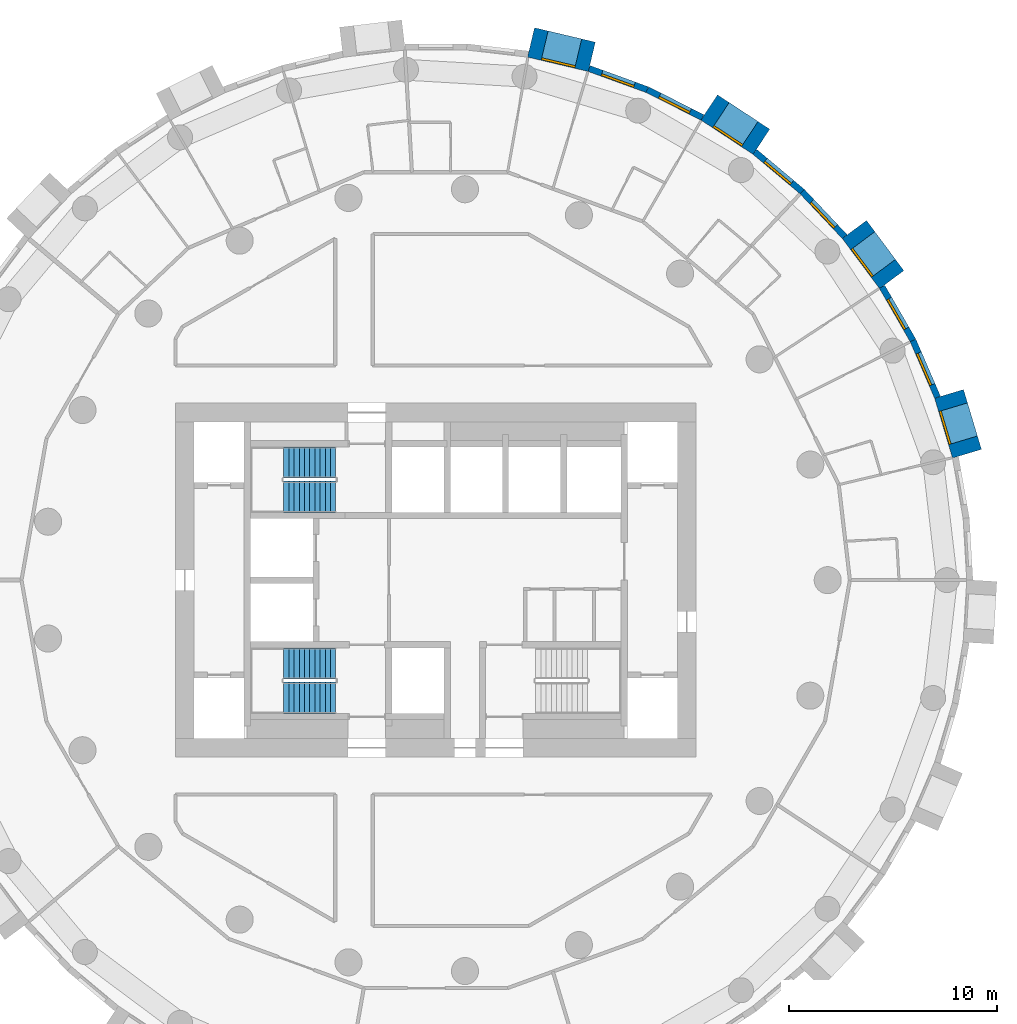
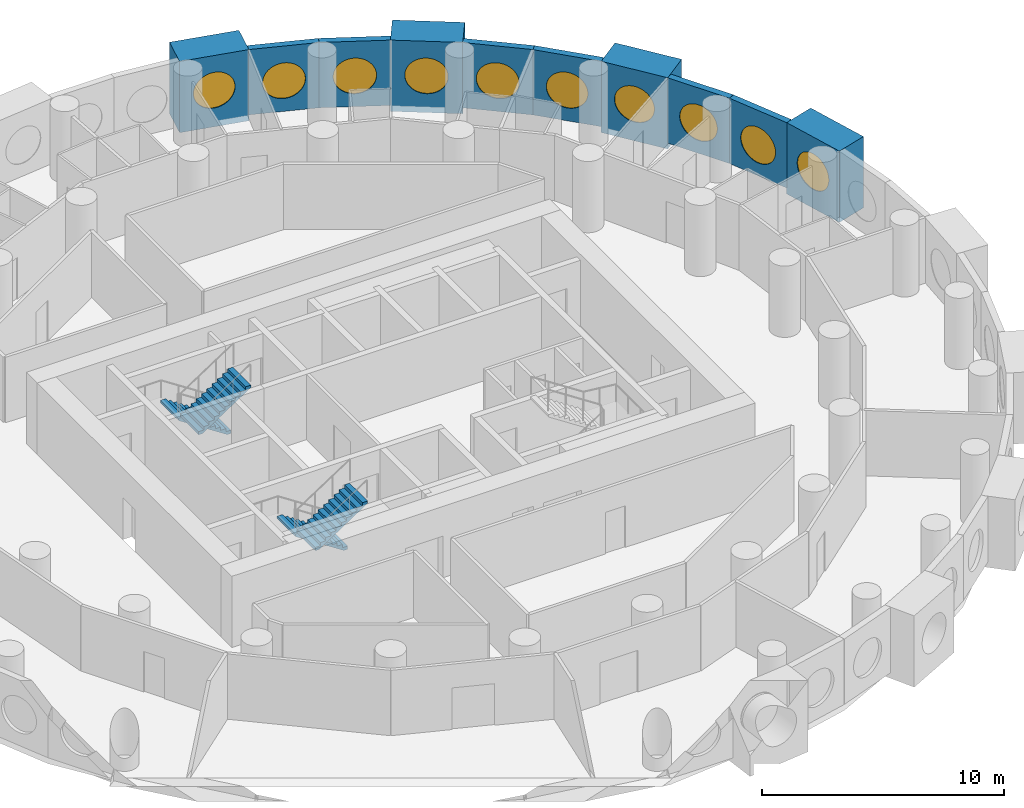
# One storey, part 8 of 10: 10 walls, 10 windows, 4 stair flights, 10 openings, 2 elements without a shape of their own.
"""IFC4 building model written with IfcOpenShell, lengths in metres."""

from ifc_helpers import new_model, si_unit, direction, frame, frame_2d, origin, origin_2d, place, context, subcontext, project, spatial, polyline, rectangle, circle, outline, extrude, material, layer, layer_set, type_object, element, fill, aggregate, save


model = new_model("IFC4")

# Units and contexts
model_context = context("Model", 3, precision=1e-05, world=origin(), true_north=direction((0.0, 1.0)))
body_context = subcontext(model_context, "Body", "Model", "MODEL_VIEW")
ifc_project = project(units=[si_unit("LENGTHUNIT", "METRE"), si_unit("AREAUNIT", "SQUARE_METRE"), si_unit("VOLUMEUNIT", "CUBIC_METRE"), si_unit("PLANEANGLEUNIT", "RADIAN"), si_unit("MASSUNIT", "GRAM", prefix="KILO")], contexts=[model_context])

# Site, building, storey
site_placement = place(None, origin())
site = spatial("IfcSite", under=ifc_project, at=site_placement, CompositionType="ELEMENT")
building_placement = place(site_placement, origin())
building = spatial("IfcBuilding", under=site, at=building_placement, Name="Tracery Tower", CompositionType="ELEMENT")
storey_placement = place(building_placement, frame((0.0, 0.0, 129.60009765625)))
storey = spatial("IfcBuildingStorey", under=building, at=storey_placement, Name="L32", CompositionType="ELEMENT", Elevation=129.60009765625)

# Wall, opening, window
ifc_material_1 = material(Name="Precast concrete C50/60", Category="concrete")
ifc_layer_1 = layer(ifc_material_1, 1.449951171875)
ifc_layer_set_1 = layer_set([ifc_layer_1], Name="Deep-set bay unit 3000 x 3600, slab edge 300")
wall_type_1 = type_object("IfcWallType", Name="Deep-set bay unit 3000 x 3600, slab edge 300", PredefinedType="ELEMENTEDWALL", material=ifc_layer_set_1)
wall_1_placement = place(storey_placement, frame((25.509521484375, 6.0712890625, -0.300048828125), z_axis=(0.0, 0.0, 1.0), x_axis=(-0.286780420304, 0.957996341606, 0.0)))
wall_1 = element("IfcWall", 1, at=wall_1_placement, inside=storey, type_object=wall_type_1, Name="Deep-set bay unit 3 at L32", PredefinedType="ELEMENTEDWALL", context=body_context, shape_type="SweptSolid", body=[
    extrude(rectangle(XDim=3.0, YDim=1.449951171875, at=frame_2d((1.5, 0.0))), origin(), (0.0, 0.0, 1.0), 3.599853515625),
])
opening_1_placement = place(wall_1_placement, frame((1.5, 0.0, 1.85009765625)))
opening_1 = element("IfcOpeningElement", 2, at=opening_1_placement, cuts=wall_1, Name="Opening WN1", PredefinedType="OPENING", context=body_context, shape_type="SweptSolid", body=[
    extrude(circle(Radius=0.9000244140625, at=origin_2d()), frame((0.0, 0.73486328125, 0.0), z_axis=(0.0, -1.0, 0.0), x_axis=(1.0, 0.0, 0.0)), (0.0, 0.0, 1.0), 1.469970703125),
])
ifc_material_2 = material(Name="Aluminium frame with tinted double glazing", Category="aluminium")
window_type = type_object("IfcWindowType", Name="Round window 1800", PartitioningType="SINGLE_PANEL", PredefinedType="WINDOW", material=ifc_material_2)
window_1_placement = place(opening_1_placement, origin())
window_1 = element("IfcWindow", 3, at=window_1_placement, inside=storey, type_object=window_type, Name="Round window 3 at L32", OverallHeight=1.800048828125, OverallWidth=1.800048828125, PartitioningType="SINGLE_PANEL", PredefinedType="WINDOW", context=body_context, shape_type="SweptSolid", body=[
    extrude(circle(Radius=0.9000244140625, at=origin_2d()), frame((0.0, 0.69482421875, 0.0), z_axis=(0.0, -1.0, 0.0), x_axis=(1.0, 0.0, 0.0)), (0.0, 0.0, 1.0), 0.10009765625),
])
fill(opening_1, window_1)

wall_2_placement = place(storey_placement, frame((21.89453125, 14.429931640625, -0.300048828125), z_axis=(0.0, 0.0, 1.0), x_axis=(-0.597183717734, 0.802104486506, 0.0)))
wall_2 = element("IfcWall", 4, at=wall_2_placement, inside=storey, type_object=wall_type_1, Name="Deep-set bay unit 6 at L32", PredefinedType="ELEMENTEDWALL", context=body_context, shape_type="SweptSolid", body=[
    extrude(rectangle(XDim=3.0, YDim=1.449951171875, at=frame_2d((1.5, 0.0))), origin(), (0.0, 0.0, 1.0), 3.599853515625),
])
opening_2_placement = place(wall_2_placement, frame((1.5, 0.0, 1.85009765625)))
opening_2 = element("IfcOpeningElement", 5, at=opening_2_placement, cuts=wall_2, Name="Opening WN1", PredefinedType="OPENING", context=body_context, shape_type="SweptSolid", body=[
    extrude(circle(Radius=0.9000244140625, at=origin_2d()), frame((0.0, 0.73486328125, 0.0), z_axis=(0.0, -1.0, 0.0), x_axis=(1.0, 0.0, 0.0)), (0.0, 0.0, 1.0), 1.469970703125),
])
window_2_placement = place(opening_2_placement, origin())
window_2 = element("IfcWindow", 6, at=window_2_placement, inside=storey, type_object=window_type, Name="Round window 6 at L32", OverallHeight=1.800048828125, OverallWidth=1.800048828125, PartitioningType="SINGLE_PANEL", PredefinedType="WINDOW", context=body_context, shape_type="SweptSolid", body=[
    extrude(circle(Radius=0.9000244140625, at=origin_2d()), frame((0.0, 0.69482421875, 0.0), z_axis=(0.0, -1.0, 0.0), x_axis=(1.0, 0.0, 0.0)), (0.0, 0.0, 1.0), 0.10009765625),
])
fill(opening_2, window_2)

wall_3_placement = place(storey_placement, frame((15.638916015625, 21.048095703125, -0.300048828125), z_axis=(0.0, 0.0, 1.0), x_axis=(-0.835514416706, 0.549468524554, 0.0)))
wall_3 = element("IfcWall", 7, at=wall_3_placement, inside=storey, type_object=wall_type_1, Name="Deep-set bay unit 9 at L32", PredefinedType="ELEMENTEDWALL", context=body_context, shape_type="SweptSolid", body=[
    extrude(rectangle(XDim=3.0, YDim=1.449951171875, at=frame_2d((1.5, 0.0))), origin(), (0.0, 0.0, 1.0), 3.599853515625),
])
opening_3_placement = place(wall_3_placement, frame((1.5, 0.0, 1.85009765625)))
opening_3 = element("IfcOpeningElement", 8, at=opening_3_placement, cuts=wall_3, Name="Opening WN1", PredefinedType="OPENING", context=body_context, shape_type="SweptSolid", body=[
    extrude(circle(Radius=0.9000244140625, at=origin_2d()), frame((0.0, 0.73486328125, 0.0), z_axis=(0.0, -1.0, 0.0), x_axis=(1.0, 0.0, 0.0)), (0.0, 0.0, 1.0), 1.469970703125),
])
window_3_placement = place(opening_3_placement, origin())
window_3 = element("IfcWindow", 9, at=window_3_placement, inside=storey, type_object=window_type, Name="Round window 9 at L32", OverallHeight=1.800048828125, OverallWidth=1.800048828125, PartitioningType="SINGLE_PANEL", PredefinedType="WINDOW", context=body_context, shape_type="SweptSolid", body=[
    extrude(circle(Radius=0.9000244140625, at=origin_2d()), frame((0.0, 0.69482421875, 0.0), z_axis=(0.0, -1.0, 0.0), x_axis=(1.0, 0.0, 0.0)), (0.0, 0.0, 1.0), 0.10009765625),
])
fill(opening_3, window_3)

wall_4_placement = place(storey_placement, frame((7.496826171875, 25.12744140625, -0.300048828125), z_axis=(0.0, 0.0, 1.0), x_axis=(-0.973042333261, 0.23062657627, 0.0)))
wall_4 = element("IfcWall", 10, at=wall_4_placement, inside=storey, type_object=wall_type_1, Name="Deep-set bay unit 12 at L32", PredefinedType="ELEMENTEDWALL", context=body_context, shape_type="SweptSolid", body=[
    extrude(rectangle(XDim=3.0, YDim=1.449951171875, at=frame_2d((1.5, 0.0))), origin(), (0.0, 0.0, 1.0), 3.599853515625),
])
opening_4_placement = place(wall_4_placement, frame((1.5, 0.0, 1.85009765625)))
opening_4 = element("IfcOpeningElement", 11, at=opening_4_placement, cuts=wall_4, Name="Opening WN1", PredefinedType="OPENING", context=body_context, shape_type="SweptSolid", body=[
    extrude(circle(Radius=0.9000244140625, at=origin_2d()), frame((0.0, 0.73486328125, 0.0), z_axis=(0.0, -1.0, 0.0), x_axis=(1.0, 0.0, 0.0)), (0.0, 0.0, 1.0), 1.469970703125),
])
window_4_placement = place(opening_4_placement, origin())
window_4 = element("IfcWindow", 12, at=window_4_placement, inside=storey, type_object=window_type, Name="Round window 12 at L32", OverallHeight=1.800048828125, OverallWidth=1.800048828125, PartitioningType="SINGLE_PANEL", PredefinedType="WINDOW", context=body_context, shape_type="SweptSolid", body=[
    extrude(circle(Radius=0.9000244140625, at=origin_2d()), frame((0.0, 0.69482421875, 0.0), z_axis=(0.0, -1.0, 0.0), x_axis=(1.0, 0.0, 0.0)), (0.0, 0.0, 1.0), 0.10009765625),
])
fill(opening_4, window_4)

ifc_material_3 = material(Name="Precast concrete C50/60", Category="concrete")
ifc_layer_2 = layer(ifc_material_3, 0.300048828125)
ifc_layer_set_2 = layer_set([ifc_layer_2], Name="Facade panel 3000 x 3300")
wall_type_2 = type_object("IfcWallType", Name="Facade panel 3000 x 3300", PredefinedType="SOLIDWALL", material=ifc_layer_set_2)
wall_5_placement = place(storey_placement, frame((24.096923828125, 8.78076171875, 0.0), z_axis=(0.0, 0.0, 1.0), x_axis=(-0.396078892785, 0.918216483565, 0.0)))
wall_5 = element("IfcWall", 13, at=wall_5_placement, inside=storey, type_object=wall_type_2, Name="Facade panel 4 at L32", PredefinedType="SOLIDWALL", context=body_context, shape_type="SweptSolid", body=[
    extrude(rectangle(XDim=2.972900390625, YDim=0.300048828125, at=frame_2d((1.486328125, 0.0))), origin(), (0.0, 0.0, 1.0), 3.2998046875),
])
opening_5_placement = place(wall_5_placement, frame((1.486328125, 0.0, 1.5498046875)))
opening_5 = element("IfcOpeningElement", 14, at=opening_5_placement, cuts=wall_5, Name="Opening WN1", PredefinedType="OPENING", context=body_context, shape_type="SweptSolid", body=[
    extrude(circle(Radius=0.9000244140625, at=origin_2d()), frame((0.0, 0.159912109375, 0.0), z_axis=(0.0, -1.0, 0.0), x_axis=(1.0, 0.0, 0.0)), (0.0, 0.0, 1.0), 0.320068359375),
])
window_5_placement = place(opening_5_placement, origin())
window_5 = element("IfcWindow", 15, at=window_5_placement, inside=storey, type_object=window_type, Name="Round window 4 at L32", OverallHeight=1.800048828125, OverallWidth=1.800048828125, PartitioningType="SINGLE_PANEL", PredefinedType="WINDOW", context=body_context, shape_type="SweptSolid", body=[
    extrude(circle(Radius=0.9000244140625, at=origin_2d()), frame((0.0, 0.1201171875, 0.0), z_axis=(0.0, -1.0, 0.0), x_axis=(1.0, 0.0, 0.0)), (0.0, 0.0, 1.0), 0.10009765625),
])
fill(opening_5, window_5)

wall_6_placement = place(storey_placement, frame((22.91943359375, 11.510498046875, 0.0), z_axis=(0.0, 0.0, 1.0), x_axis=(-0.500016263033, 0.866016014115, 0.0)))
wall_6 = element("IfcWall", 16, at=wall_6_placement, inside=storey, type_object=wall_type_2, Name="Facade panel 5 at L32", PredefinedType="SOLIDWALL", context=body_context, shape_type="SweptSolid", body=[
    extrude(rectangle(XDim=2.97314453125, YDim=0.300048828125, at=frame_2d((1.486572265625, 0.0))), origin(), (0.0, 0.0, 1.0), 3.2998046875),
])
opening_6_placement = place(wall_6_placement, frame((1.486328125, 0.0, 1.5498046875)))
opening_6 = element("IfcOpeningElement", 17, at=opening_6_placement, cuts=wall_6, Name="Opening WN1", PredefinedType="OPENING", context=body_context, shape_type="SweptSolid", body=[
    extrude(circle(Radius=0.9000244140625, at=origin_2d()), frame((0.0, 0.159912109375, 0.0), z_axis=(0.0, -1.0, 0.0), x_axis=(1.0, 0.0, 0.0)), (0.0, 0.0, 1.0), 0.320068359375),
])
window_6_placement = place(opening_6_placement, origin())
window_6 = element("IfcWindow", 18, at=window_6_placement, inside=storey, type_object=window_type, Name="Round window 5 at L32", OverallHeight=1.800048828125, OverallWidth=1.800048828125, PartitioningType="SINGLE_PANEL", PredefinedType="WINDOW", context=body_context, shape_type="SweptSolid", body=[
    extrude(circle(Radius=0.9000244140625, at=origin_2d()), frame((0.0, 0.1201171875, 0.0), z_axis=(0.0, -1.0, 0.0), x_axis=(1.0, 0.0, 0.0)), (0.0, 0.0, 1.0), 0.10009765625),
])
fill(opening_6, window_6)

wall_7_placement = place(storey_placement, frame((19.640380859375, 16.492919921875, 0.0), z_axis=(0.0, 0.0, 1.0), x_axis=(-0.686235184166, 0.727379730273, 0.0)))
wall_7 = element("IfcWall", 19, at=wall_7_placement, inside=storey, type_object=wall_type_2, Name="Facade panel 7 at L32", PredefinedType="SOLIDWALL", context=body_context, shape_type="SweptSolid", body=[
    extrude(rectangle(XDim=2.972900390625, YDim=0.300048828125, at=frame_2d((1.486328125, 0.0))), origin(), (0.0, 0.0, 1.0), 3.2998046875),
])
opening_7_placement = place(wall_7_placement, frame((1.486328125, 0.0, 1.5498046875)))
opening_7 = element("IfcOpeningElement", 20, at=opening_7_placement, cuts=wall_7, Name="Opening WN1", PredefinedType="OPENING", context=body_context, shape_type="SweptSolid", body=[
    extrude(circle(Radius=0.9000244140625, at=origin_2d()), frame((0.0, 0.159912109375, 0.0), z_axis=(0.0, -1.0, 0.0), x_axis=(1.0, 0.0, 0.0)), (0.0, 0.0, 1.0), 0.320068359375),
])
window_7_placement = place(opening_7_placement, origin())
window_7 = element("IfcWindow", 21, at=window_7_placement, inside=storey, type_object=window_type, Name="Round window 7 at L32", OverallHeight=1.800048828125, OverallWidth=1.800048828125, PartitioningType="SINGLE_PANEL", PredefinedType="WINDOW", context=body_context, shape_type="SweptSolid", body=[
    extrude(circle(Radius=0.9000244140625, at=origin_2d()), frame((0.0, 0.1201171875, 0.0), z_axis=(0.0, -1.0, 0.0), x_axis=(1.0, 0.0, 0.0)), (0.0, 0.0, 1.0), 0.10009765625),
])
fill(opening_7, window_7)

wall_8_placement = place(storey_placement, frame((17.600341796875, 18.6552734375, 0.0), z_axis=(0.0, 0.0, 1.0), x_axis=(-0.766049350637, 0.642781761089, 0.0)))
wall_8 = element("IfcWall", 22, at=wall_8_placement, inside=storey, type_object=wall_type_2, Name="Facade panel 8 at L32", PredefinedType="SOLIDWALL", context=body_context, shape_type="SweptSolid", body=[
    extrude(rectangle(XDim=2.972900390625, YDim=0.300048828125, at=frame_2d((1.486328125, 0.0))), origin(), (0.0, 0.0, 1.0), 3.2998046875),
])
opening_8_placement = place(wall_8_placement, frame((1.486328125, 0.0, 1.5498046875)))
opening_8 = element("IfcOpeningElement", 23, at=opening_8_placement, cuts=wall_8, Name="Opening WN1", PredefinedType="OPENING", context=body_context, shape_type="SweptSolid", body=[
    extrude(circle(Radius=0.9000244140625, at=origin_2d()), frame((0.0, 0.159912109375, 0.0), z_axis=(0.0, -1.0, 0.0), x_axis=(1.0, 0.0, 0.0)), (0.0, 0.0, 1.0), 0.320068359375),
])
window_8_placement = place(opening_8_placement, origin())
window_8 = element("IfcWindow", 24, at=window_8_placement, inside=storey, type_object=window_type, Name="Round window 8 at L32", OverallHeight=1.800048828125, OverallWidth=1.800048828125, PartitioningType="SINGLE_PANEL", PredefinedType="WINDOW", context=body_context, shape_type="SweptSolid", body=[
    extrude(circle(Radius=0.9000244140625, at=origin_2d()), frame((0.0, 0.1201171875, 0.0), z_axis=(0.0, -1.0, 0.0), x_axis=(1.0, 0.0, 0.0)), (0.0, 0.0, 1.0), 0.10009765625),
])
fill(opening_8, window_8)

wall_9_placement = place(storey_placement, frame((12.815185546875, 22.215576171875, 0.0), z_axis=(0.0, 0.0, 1.0), x_axis=(-0.893637442555, 0.448789618045, 0.0)))
wall_9 = element("IfcWall", 25, at=wall_9_placement, inside=storey, type_object=wall_type_2, Name="Facade panel 10 at L32", PredefinedType="SOLIDWALL", context=body_context, shape_type="SweptSolid", body=[
    extrude(rectangle(XDim=2.972900390625, YDim=0.300048828125, at=frame_2d((1.486328125, 0.0))), origin(), (0.0, 0.0, 1.0), 3.2998046875),
])
opening_9_placement = place(wall_9_placement, frame((1.486328125, 0.0, 1.5498046875)))
opening_9 = element("IfcOpeningElement", 26, at=opening_9_placement, cuts=wall_9, Name="Opening WN1", PredefinedType="OPENING", context=body_context, shape_type="SweptSolid", body=[
    extrude(circle(Radius=0.9000244140625, at=origin_2d()), frame((0.0, 0.159912109375, 0.0), z_axis=(0.0, -1.0, 0.0), x_axis=(1.0, 0.0, 0.0)), (0.0, 0.0, 1.0), 0.320068359375),
])
window_9_placement = place(opening_9_placement, origin())
window_9 = element("IfcWindow", 27, at=window_9_placement, inside=storey, type_object=window_type, Name="Round window 10 at L32", OverallHeight=1.800048828125, OverallWidth=1.800048828125, PartitioningType="SINGLE_PANEL", PredefinedType="WINDOW", context=body_context, shape_type="SweptSolid", body=[
    extrude(circle(Radius=0.9000244140625, at=origin_2d()), frame((0.0, 0.1201171875, 0.0), z_axis=(0.0, -1.0, 0.0), x_axis=(1.0, 0.0, 0.0)), (0.0, 0.0, 1.0), 0.10009765625),
])
fill(opening_9, window_9)

wall_10_placement = place(storey_placement, frame((10.158447265625, 23.5498046875, 0.0), z_axis=(0.0, 0.0, 1.0), x_axis=(-0.939690282133, 0.342026568652, 0.0)))
wall_10 = element("IfcWall", 28, at=wall_10_placement, inside=storey, type_object=wall_type_2, Name="Facade panel 11 at L32", PredefinedType="SOLIDWALL", context=body_context, shape_type="SweptSolid", body=[
    extrude(rectangle(XDim=2.972900390625, YDim=0.300048828125, at=frame_2d((1.486328125, 0.0))), origin(), (0.0, 0.0, 1.0), 3.2998046875),
])
opening_10_placement = place(wall_10_placement, frame((1.486328125, 0.0, 1.5498046875)))
opening_10 = element("IfcOpeningElement", 29, at=opening_10_placement, cuts=wall_10, Name="Opening WN1", PredefinedType="OPENING", context=body_context, shape_type="SweptSolid", body=[
    extrude(circle(Radius=0.9000244140625, at=origin_2d()), frame((0.0, 0.159912109375, 0.0), z_axis=(0.0, -1.0, 0.0), x_axis=(1.0, 0.0, 0.0)), (0.0, 0.0, 1.0), 0.320068359375),
])
window_10_placement = place(opening_10_placement, origin())
window_10 = element("IfcWindow", 30, at=window_10_placement, inside=storey, type_object=window_type, Name="Round window 11 at L32", OverallHeight=1.800048828125, OverallWidth=1.800048828125, PartitioningType="SINGLE_PANEL", PredefinedType="WINDOW", context=body_context, shape_type="SweptSolid", body=[
    extrude(circle(Radius=0.9000244140625, at=origin_2d()), frame((0.0, 0.1201171875, 0.0), z_axis=(0.0, -1.0, 0.0), x_axis=(1.0, 0.0, 0.0)), (0.0, 0.0, 1.0), 0.10009765625),
])
fill(opening_10, window_10)

# Stair, stair flights
ifc_material_4 = material(Name="Concrete C32/40", Category="concrete")
stair_type = type_object("IfcStairType", Name="Core stair 22 risers", PredefinedType="HALF_TURN_STAIR", material=ifc_material_4)
stair_1_placement = place(storey_placement, origin())
stair_1 = element("IfcStair", 31, at=stair_1_placement, inside=storey, type_object=stair_type, Name="L32 stair ST1", PredefinedType="HALF_TURN_STAIR")
ifc_material_5 = material(Name="Concrete C32/40", Category="concrete")
stair_flight_type = type_object("IfcStairFlightType", Name="Core stair flight 11 risers", PredefinedType="STRAIGHT", material=ifc_material_5)
stair_flight_1_placement = place(storey_placement, frame((-4.800048828125, -4.0, 0.0), z_axis=(0.0, 0.0, 1.0), x_axis=(-1.0, 0.0, 0.0)))
stair_flight_1 = element("IfcStairFlight", 32, at=stair_flight_1_placement, type_object=stair_flight_type, Name="ST1 flight 1", NumberOfRisers=11, NumberOfTreads=10, PredefinedType="STRAIGHT", RiserHeight=0.163636364, TreadLength=0.25, context=body_context, shape_type="SweptSolid", body=[
    extrude(outline(polyline([(0.0, 0.0), (0.0, 0.002685546875), (0.0, 0.00537109375), (0.0, 0.008056640625), (0.0, 0.0107421875), (0.0, 0.013427734375), (0.0, 0.01611328125), (0.0, 0.018798828125), (0.0, 0.021484375), (0.0, 0.024169921875), (0.0, 0.02685546875), (0.0, 0.029541015625), (0.0, 0.0322265625), (0.0, 0.034912109375), (0.0, 0.03759765625), (0.0, 0.040283203125), (0.0, 0.04296875), (0.0, 0.045654296875), (0.0, 0.04833984375), (0.0, 0.051025390625), (0.0, 0.0537109375), (0.0, 0.056396484375), (0.0, 0.05908203125), (0.0, 0.061767578125), (0.0, 0.064453125), (0.0, 0.067138671875), (0.0, 0.06982421875), (0.0, 0.072509765625), (0.0, 0.0751953125), (0.0, 0.077880859375), (0.0, 0.08056640625), (0.0, 0.083251953125), (0.0, 0.0859375), (0.0, 0.088623046875), (0.0, 0.09130859375), (0.0, 0.093994140625), (0.0, 0.0966796875), (0.0, 0.099365234375), (0.0, 0.10205078125), (0.0, 0.104736328125), (0.0, 0.107421875), (0.0, 0.10986328125), (0.0, 0.112548828125), (0.0, 0.115234375), (0.0, 0.117919921875), (0.0, 0.12060546875), (0.0, 0.123291015625), (0.0, 0.1259765625), (0.0, 0.128662109375), (0.0, 0.13134765625), (0.0, 0.134033203125), (0.0, 0.13671875), (0.0, 0.139404296875), (0.0, 0.14208984375), (0.0, 0.144775390625), (0.0, 0.1474609375), (0.0, 0.150146484375), (0.0, 0.15283203125), (0.0, 0.155517578125), (0.0, 0.158203125), (0.0, 0.160888671875), (0.0, 0.16357421875), (0.25, 0.16357421875), (0.25, 0.327392578125), (0.5, 0.327392578125), (0.5, 0.490966796875), (0.75, 0.490966796875), (0.75, 0.654541015625), (1.0, 0.654541015625), (1.0, 0.818115234375), (1.25, 0.818115234375), (1.25, 0.98193359375), (1.5, 0.98193359375), (1.5, 1.1455078125), (1.75, 1.1455078125), (1.75, 1.30908203125), (2.0, 1.30908203125), (2.0, 1.47265625), (2.25, 1.47265625), (2.25, 1.636474609375), (2.5, 1.636474609375), (2.5, 1.634521484375), (2.5, 1.63232421875), (2.5, 1.63037109375), (2.5, 1.62841796875), (2.5, 1.62646484375), (2.5, 1.62451171875), (2.5, 1.62255859375), (2.5, 1.62060546875), (2.5, 1.61865234375), (2.5, 1.61669921875), (2.5, 1.61474609375), (2.5, 1.61279296875), (2.5, 1.61083984375), (2.5, 1.60888671875), (2.5, 1.60693359375), (2.5, 1.60498046875), (2.5, 1.60302734375), (2.5, 1.60107421875), (2.5, 1.59912109375), (2.5, 1.59716796875), (2.5, 1.59521484375), (2.5, 1.59326171875), (2.5, 1.59130859375), (2.5, 1.58935546875), (2.5, 1.58740234375), (2.5, 1.58544921875), (2.5, 1.58349609375), (2.5, 1.58154296875), (2.5, 1.57958984375), (2.5, 1.57763671875), (2.5, 1.57568359375), (2.5, 1.573486328125), (2.5, 1.571533203125), (2.5, 1.569580078125), (2.5, 1.567626953125), (2.5, 1.565673828125), (2.5, 1.563720703125), (2.5, 1.561767578125), (2.5, 1.559814453125), (2.5, 1.557861328125), (2.5, 1.555908203125), (2.5, 1.553955078125), (2.5, 1.552001953125), (2.5, 1.550048828125), (2.5, 1.548095703125), (2.5, 1.546142578125), (2.5, 1.544189453125), (2.5, 1.542236328125), (2.5, 1.540283203125), (2.5, 1.538330078125), (2.5, 1.536376953125), (2.5, 1.534423828125), (2.5, 1.532470703125), (2.5, 1.530517578125), (2.5, 1.528564453125), (2.5, 1.526611328125), (2.5, 1.524658203125), (2.5, 1.522705078125), (2.5, 1.520751953125), (2.5, 1.518798828125), (2.5, 1.516845703125), (0.182861328125, 0.0), (0.0, 0.0)])), frame((0.0, 0.75, 0.0), z_axis=(0.0, -1.0, 0.0), x_axis=(1.0, 0.0, 0.0)), (0.0, 0.0, 1.0), 1.5),
])
stair_flight_2_placement = place(storey_placement, frame((-7.300048828125, -5.64990234375, 1.7998046875), z_axis=(0.0, 0.0, 1.0), x_axis=(1.0, 0.0, 0.0)))
stair_flight_2 = element("IfcStairFlight", 33, at=stair_flight_2_placement, type_object=stair_flight_type, Name="ST1 flight 2", NumberOfRisers=11, NumberOfTreads=10, PredefinedType="STRAIGHT", RiserHeight=0.163636364, TreadLength=0.25, context=body_context, shape_type="SweptSolid", body=[
    extrude(outline(polyline([(0.0, 0.0), (0.0, 0.002685546875), (0.0, 0.00537109375), (0.0, 0.008056640625), (0.0, 0.0107421875), (0.0, 0.013427734375), (0.0, 0.01611328125), (0.0, 0.018798828125), (0.0, 0.021484375), (0.0, 0.024169921875), (0.0, 0.02685546875), (0.0, 0.029541015625), (0.0, 0.0322265625), (0.0, 0.034912109375), (0.0, 0.03759765625), (0.0, 0.040283203125), (0.0, 0.04296875), (0.0, 0.045654296875), (0.0, 0.04833984375), (0.0, 0.051025390625), (0.0, 0.0537109375), (0.0, 0.056396484375), (0.0, 0.05908203125), (0.0, 0.061767578125), (0.0, 0.064453125), (0.0, 0.067138671875), (0.0, 0.06982421875), (0.0, 0.072509765625), (0.0, 0.0751953125), (0.0, 0.077880859375), (0.0, 0.08056640625), (0.0, 0.083251953125), (0.0, 0.0859375), (0.0, 0.088623046875), (0.0, 0.09130859375), (0.0, 0.093994140625), (0.0, 0.0966796875), (0.0, 0.099365234375), (0.0, 0.10205078125), (0.0, 0.104736328125), (0.0, 0.107421875), (0.0, 0.10986328125), (0.0, 0.112548828125), (0.0, 0.115234375), (0.0, 0.117919921875), (0.0, 0.12060546875), (0.0, 0.123291015625), (0.0, 0.1259765625), (0.0, 0.128662109375), (0.0, 0.13134765625), (0.0, 0.134033203125), (0.0, 0.13671875), (0.0, 0.139404296875), (0.0, 0.14208984375), (0.0, 0.144775390625), (0.0, 0.1474609375), (0.0, 0.150146484375), (0.0, 0.15283203125), (0.0, 0.155517578125), (0.0, 0.158203125), (0.0, 0.160888671875), (0.0, 0.16357421875), (0.25, 0.16357421875), (0.25, 0.327392578125), (0.5, 0.327392578125), (0.5, 0.490966796875), (0.75, 0.490966796875), (0.75, 0.654541015625), (1.0, 0.654541015625), (1.0, 0.818115234375), (1.25, 0.818115234375), (1.25, 0.98193359375), (1.5, 0.98193359375), (1.5, 1.1455078125), (1.75, 1.1455078125), (1.75, 1.30908203125), (2.0, 1.30908203125), (2.0, 1.47265625), (2.25, 1.47265625), (2.25, 1.636474609375), (2.5, 1.636474609375), (2.5, 1.634521484375), (2.5, 1.63232421875), (2.5, 1.63037109375), (2.5, 1.62841796875), (2.5, 1.62646484375), (2.5, 1.62451171875), (2.5, 1.62255859375), (2.5, 1.62060546875), (2.5, 1.61865234375), (2.5, 1.61669921875), (2.5, 1.61474609375), (2.5, 1.61279296875), (2.5, 1.61083984375), (2.5, 1.60888671875), (2.5, 1.60693359375), (2.5, 1.60498046875), (2.5, 1.60302734375), (2.5, 1.60107421875), (2.5, 1.59912109375), (2.5, 1.59716796875), (2.5, 1.59521484375), (2.5, 1.59326171875), (2.5, 1.59130859375), (2.5, 1.58935546875), (2.5, 1.58740234375), (2.5, 1.58544921875), (2.5, 1.58349609375), (2.5, 1.58154296875), (2.5, 1.57958984375), (2.5, 1.57763671875), (2.5, 1.57568359375), (2.5, 1.573486328125), (2.5, 1.571533203125), (2.5, 1.569580078125), (2.5, 1.567626953125), (2.5, 1.565673828125), (2.5, 1.563720703125), (2.5, 1.561767578125), (2.5, 1.559814453125), (2.5, 1.557861328125), (2.5, 1.555908203125), (2.5, 1.553955078125), (2.5, 1.552001953125), (2.5, 1.550048828125), (2.5, 1.548095703125), (2.5, 1.546142578125), (2.5, 1.544189453125), (2.5, 1.542236328125), (2.5, 1.540283203125), (2.5, 1.538330078125), (2.5, 1.536376953125), (2.5, 1.534423828125), (2.5, 1.532470703125), (2.5, 1.530517578125), (2.5, 1.528564453125), (2.5, 1.526611328125), (2.5, 1.524658203125), (2.5, 1.522705078125), (2.5, 1.520751953125), (2.5, 1.518798828125), (2.5, 1.516845703125), (0.182861328125, 0.0), (0.0, 0.0)])), frame((0.0, 0.75, 0.0), z_axis=(0.0, -1.0, 0.0), x_axis=(1.0, 0.0, 0.0)), (0.0, 0.0, 1.0), 1.5),
])
aggregate(stair_1, [stair_flight_1, stair_flight_2])

stair_2_placement = place(storey_placement, origin())
stair_2 = element("IfcStair", 34, at=stair_2_placement, inside=storey, type_object=stair_type, Name="L32 stair ST3", PredefinedType="HALF_TURN_STAIR")
stair_flight_3_placement = place(storey_placement, frame((-4.800048828125, 5.64990234375, 0.0), z_axis=(0.0, 0.0, 1.0), x_axis=(-1.0, 0.0, 0.0)))
stair_flight_3 = element("IfcStairFlight", 35, at=stair_flight_3_placement, type_object=stair_flight_type, Name="ST3 flight 1", NumberOfRisers=11, NumberOfTreads=10, PredefinedType="STRAIGHT", RiserHeight=0.163636364, TreadLength=0.25, context=body_context, shape_type="SweptSolid", body=[
    extrude(outline(polyline([(0.0, 0.0), (0.0, 0.002685546875), (0.0, 0.00537109375), (0.0, 0.008056640625), (0.0, 0.0107421875), (0.0, 0.013427734375), (0.0, 0.01611328125), (0.0, 0.018798828125), (0.0, 0.021484375), (0.0, 0.024169921875), (0.0, 0.02685546875), (0.0, 0.029541015625), (0.0, 0.0322265625), (0.0, 0.034912109375), (0.0, 0.03759765625), (0.0, 0.040283203125), (0.0, 0.04296875), (0.0, 0.045654296875), (0.0, 0.04833984375), (0.0, 0.051025390625), (0.0, 0.0537109375), (0.0, 0.056396484375), (0.0, 0.05908203125), (0.0, 0.061767578125), (0.0, 0.064453125), (0.0, 0.067138671875), (0.0, 0.06982421875), (0.0, 0.072509765625), (0.0, 0.0751953125), (0.0, 0.077880859375), (0.0, 0.08056640625), (0.0, 0.083251953125), (0.0, 0.0859375), (0.0, 0.088623046875), (0.0, 0.09130859375), (0.0, 0.093994140625), (0.0, 0.0966796875), (0.0, 0.099365234375), (0.0, 0.10205078125), (0.0, 0.104736328125), (0.0, 0.107421875), (0.0, 0.10986328125), (0.0, 0.112548828125), (0.0, 0.115234375), (0.0, 0.117919921875), (0.0, 0.12060546875), (0.0, 0.123291015625), (0.0, 0.1259765625), (0.0, 0.128662109375), (0.0, 0.13134765625), (0.0, 0.134033203125), (0.0, 0.13671875), (0.0, 0.139404296875), (0.0, 0.14208984375), (0.0, 0.144775390625), (0.0, 0.1474609375), (0.0, 0.150146484375), (0.0, 0.15283203125), (0.0, 0.155517578125), (0.0, 0.158203125), (0.0, 0.160888671875), (0.0, 0.16357421875), (0.25, 0.16357421875), (0.25, 0.327392578125), (0.5, 0.327392578125), (0.5, 0.490966796875), (0.75, 0.490966796875), (0.75, 0.654541015625), (1.0, 0.654541015625), (1.0, 0.818115234375), (1.25, 0.818115234375), (1.25, 0.98193359375), (1.5, 0.98193359375), (1.5, 1.1455078125), (1.75, 1.1455078125), (1.75, 1.30908203125), (2.0, 1.30908203125), (2.0, 1.47265625), (2.25, 1.47265625), (2.25, 1.636474609375), (2.5, 1.636474609375), (2.5, 1.634521484375), (2.5, 1.63232421875), (2.5, 1.63037109375), (2.5, 1.62841796875), (2.5, 1.62646484375), (2.5, 1.62451171875), (2.5, 1.62255859375), (2.5, 1.62060546875), (2.5, 1.61865234375), (2.5, 1.61669921875), (2.5, 1.61474609375), (2.5, 1.61279296875), (2.5, 1.61083984375), (2.5, 1.60888671875), (2.5, 1.60693359375), (2.5, 1.60498046875), (2.5, 1.60302734375), (2.5, 1.60107421875), (2.5, 1.59912109375), (2.5, 1.59716796875), (2.5, 1.59521484375), (2.5, 1.59326171875), (2.5, 1.59130859375), (2.5, 1.58935546875), (2.5, 1.58740234375), (2.5, 1.58544921875), (2.5, 1.58349609375), (2.5, 1.58154296875), (2.5, 1.57958984375), (2.5, 1.57763671875), (2.5, 1.57568359375), (2.5, 1.573486328125), (2.5, 1.571533203125), (2.5, 1.569580078125), (2.5, 1.567626953125), (2.5, 1.565673828125), (2.5, 1.563720703125), (2.5, 1.561767578125), (2.5, 1.559814453125), (2.5, 1.557861328125), (2.5, 1.555908203125), (2.5, 1.553955078125), (2.5, 1.552001953125), (2.5, 1.550048828125), (2.5, 1.548095703125), (2.5, 1.546142578125), (2.5, 1.544189453125), (2.5, 1.542236328125), (2.5, 1.540283203125), (2.5, 1.538330078125), (2.5, 1.536376953125), (2.5, 1.534423828125), (2.5, 1.532470703125), (2.5, 1.530517578125), (2.5, 1.528564453125), (2.5, 1.526611328125), (2.5, 1.524658203125), (2.5, 1.522705078125), (2.5, 1.520751953125), (2.5, 1.518798828125), (2.5, 1.516845703125), (0.182861328125, 0.0), (0.0, 0.0)])), frame((0.0, 0.75, 0.0), z_axis=(0.0, -1.0, 0.0), x_axis=(1.0, 0.0, 0.0)), (0.0, 0.0, 1.0), 1.5),
])
stair_flight_4_placement = place(storey_placement, frame((-7.300048828125, 4.0, 1.7998046875), z_axis=(0.0, 0.0, 1.0), x_axis=(1.0, 0.0, 0.0)))
stair_flight_4 = element("IfcStairFlight", 36, at=stair_flight_4_placement, type_object=stair_flight_type, Name="ST3 flight 2", NumberOfRisers=11, NumberOfTreads=10, PredefinedType="STRAIGHT", RiserHeight=0.163636364, TreadLength=0.25, context=body_context, shape_type="SweptSolid", body=[
    extrude(outline(polyline([(0.0, 0.0), (0.0, 0.002685546875), (0.0, 0.00537109375), (0.0, 0.008056640625), (0.0, 0.0107421875), (0.0, 0.013427734375), (0.0, 0.01611328125), (0.0, 0.018798828125), (0.0, 0.021484375), (0.0, 0.024169921875), (0.0, 0.02685546875), (0.0, 0.029541015625), (0.0, 0.0322265625), (0.0, 0.034912109375), (0.0, 0.03759765625), (0.0, 0.040283203125), (0.0, 0.04296875), (0.0, 0.045654296875), (0.0, 0.04833984375), (0.0, 0.051025390625), (0.0, 0.0537109375), (0.0, 0.056396484375), (0.0, 0.05908203125), (0.0, 0.061767578125), (0.0, 0.064453125), (0.0, 0.067138671875), (0.0, 0.06982421875), (0.0, 0.072509765625), (0.0, 0.0751953125), (0.0, 0.077880859375), (0.0, 0.08056640625), (0.0, 0.083251953125), (0.0, 0.0859375), (0.0, 0.088623046875), (0.0, 0.09130859375), (0.0, 0.093994140625), (0.0, 0.0966796875), (0.0, 0.099365234375), (0.0, 0.10205078125), (0.0, 0.104736328125), (0.0, 0.107421875), (0.0, 0.10986328125), (0.0, 0.112548828125), (0.0, 0.115234375), (0.0, 0.117919921875), (0.0, 0.12060546875), (0.0, 0.123291015625), (0.0, 0.1259765625), (0.0, 0.128662109375), (0.0, 0.13134765625), (0.0, 0.134033203125), (0.0, 0.13671875), (0.0, 0.139404296875), (0.0, 0.14208984375), (0.0, 0.144775390625), (0.0, 0.1474609375), (0.0, 0.150146484375), (0.0, 0.15283203125), (0.0, 0.155517578125), (0.0, 0.158203125), (0.0, 0.160888671875), (0.0, 0.16357421875), (0.25, 0.16357421875), (0.25, 0.327392578125), (0.5, 0.327392578125), (0.5, 0.490966796875), (0.75, 0.490966796875), (0.75, 0.654541015625), (1.0, 0.654541015625), (1.0, 0.818115234375), (1.25, 0.818115234375), (1.25, 0.98193359375), (1.5, 0.98193359375), (1.5, 1.1455078125), (1.75, 1.1455078125), (1.75, 1.30908203125), (2.0, 1.30908203125), (2.0, 1.47265625), (2.25, 1.47265625), (2.25, 1.636474609375), (2.5, 1.636474609375), (2.5, 1.634521484375), (2.5, 1.63232421875), (2.5, 1.63037109375), (2.5, 1.62841796875), (2.5, 1.62646484375), (2.5, 1.62451171875), (2.5, 1.62255859375), (2.5, 1.62060546875), (2.5, 1.61865234375), (2.5, 1.61669921875), (2.5, 1.61474609375), (2.5, 1.61279296875), (2.5, 1.61083984375), (2.5, 1.60888671875), (2.5, 1.60693359375), (2.5, 1.60498046875), (2.5, 1.60302734375), (2.5, 1.60107421875), (2.5, 1.59912109375), (2.5, 1.59716796875), (2.5, 1.59521484375), (2.5, 1.59326171875), (2.5, 1.59130859375), (2.5, 1.58935546875), (2.5, 1.58740234375), (2.5, 1.58544921875), (2.5, 1.58349609375), (2.5, 1.58154296875), (2.5, 1.57958984375), (2.5, 1.57763671875), (2.5, 1.57568359375), (2.5, 1.573486328125), (2.5, 1.571533203125), (2.5, 1.569580078125), (2.5, 1.567626953125), (2.5, 1.565673828125), (2.5, 1.563720703125), (2.5, 1.561767578125), (2.5, 1.559814453125), (2.5, 1.557861328125), (2.5, 1.555908203125), (2.5, 1.553955078125), (2.5, 1.552001953125), (2.5, 1.550048828125), (2.5, 1.548095703125), (2.5, 1.546142578125), (2.5, 1.544189453125), (2.5, 1.542236328125), (2.5, 1.540283203125), (2.5, 1.538330078125), (2.5, 1.536376953125), (2.5, 1.534423828125), (2.5, 1.532470703125), (2.5, 1.530517578125), (2.5, 1.528564453125), (2.5, 1.526611328125), (2.5, 1.524658203125), (2.5, 1.522705078125), (2.5, 1.520751953125), (2.5, 1.518798828125), (2.5, 1.516845703125), (0.182861328125, 0.0), (0.0, 0.0)])), frame((0.0, 0.75, 0.0), z_axis=(0.0, -1.0, 0.0), x_axis=(1.0, 0.0, 0.0)), (0.0, 0.0, 1.0), 1.5),
])
aggregate(stair_2, [stair_flight_3, stair_flight_4])

save(model, "model.ifc")
